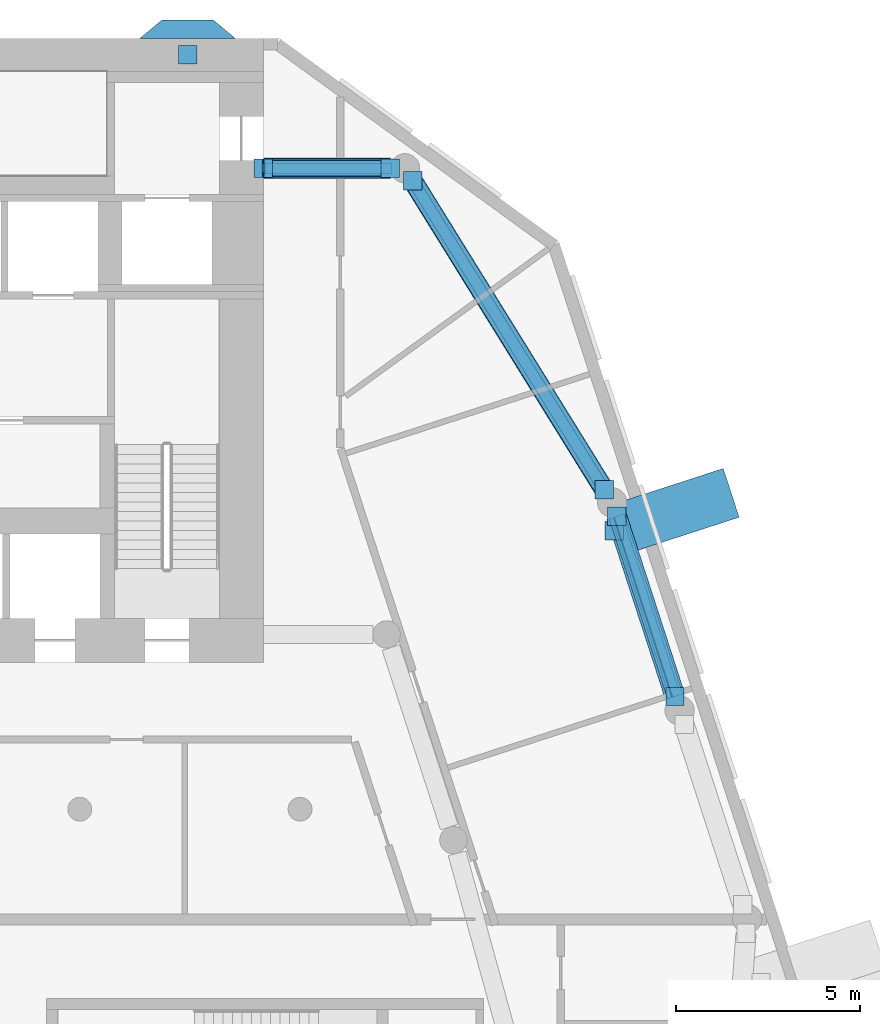
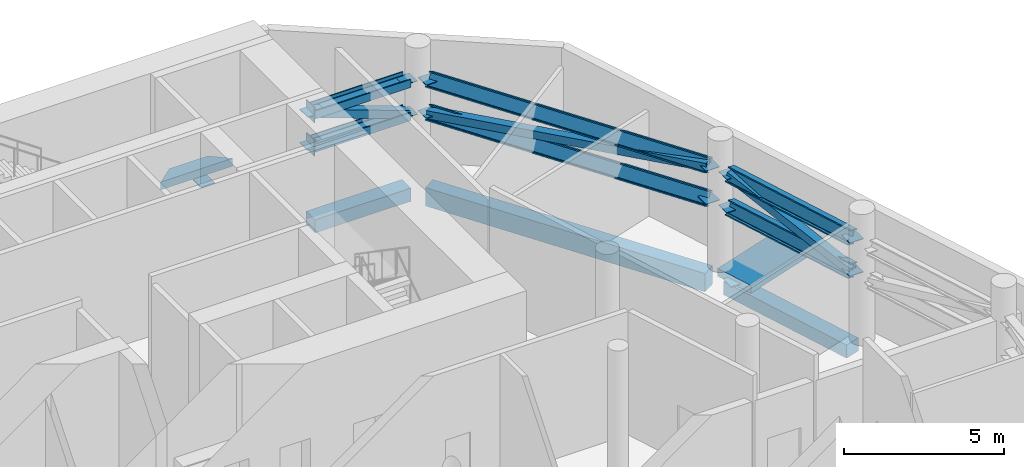
# One storey, part 5 of 15: 16 discrete accessories, 11 members, 3 beams.
"""IFC4 building model written with IfcOpenShell, lengths in metres."""

from ifc_helpers import new_model, si_unit, direction, frame, origin, origin_2d, place, context, subcontext, project, spatial, polyline, rectangle, hollow_rectangle, i_section, outline, extrude, material, layer, layer_set, material_profile, profile_set, type_object, element, aggregate, save


model = new_model("IFC4")

# Units and contexts
model_context = context("Model", 3, precision=1e-05, world=origin(), true_north=direction((0.0, 1.0)))
body_context = subcontext(model_context, "Body", "Model", "MODEL_VIEW")
ifc_project = project(units=[si_unit("LENGTHUNIT", "METRE"), si_unit("AREAUNIT", "SQUARE_METRE"), si_unit("VOLUMEUNIT", "CUBIC_METRE"), si_unit("PLANEANGLEUNIT", "RADIAN"), si_unit("MASSUNIT", "GRAM", prefix="KILO")], contexts=[model_context])

# Site, building, storey
site_placement = place(None, origin())
site = spatial("IfcSite", under=ifc_project, at=site_placement, CompositionType="ELEMENT")
building_placement = place(site_placement, origin())
building = spatial("IfcBuilding", under=site, at=building_placement, Name="White Candle Pilgrim Tower", CompositionType="ELEMENT")
storey_placement = place(building_placement, frame((0.0, 0.0, 85.800048828125)))
storey = spatial("IfcBuildingStorey", under=building, at=storey_placement, Name="L18", CompositionType="ELEMENT", Elevation=85.800048828125)

# Member
ifc_material_1 = material(Name="Steel S355", Category="steel")
ifc_material_profile_1 = material_profile(ifc_material_1, i_section(OverallWidth=0.305908203125, OverallDepth=0.52392578125, WebThickness=0.02099609375, FlangeThickness=0.0400390625, FilletRadius=0.027099609375, at=origin_2d()), Name="HEM 500")
ifc_profile_set_1 = profile_set([ifc_material_profile_1], Name="Steel S355")
member_type_1 = type_object("IfcMemberType", Name="Belt truss chord HEM 500 S355", PredefinedType="CHORD", material=ifc_profile_set_1)
member_1_placement = place(storey_placement, frame((92.216552734375, 70.0703125, 2.411865234375), z_axis=(-0.308682827488, 0.951165028801, 0.0), x_axis=(0.904717832975, 0.293609258441, -0.308673364668)))
member_1 = element("IfcMember", 1, at=member_1_placement, inside=storey, type_object=member_type_1, Name="L18 belt truss bottom chord 09", PredefinedType="CHORD", context=body_context, shape_type="SweptSolid", body=[
    extrude(i_section(OverallWidth=0.305908203125, OverallDepth=0.52392578125, WebThickness=0.02099609375, FlangeThickness=0.0400390625, FilletRadius=0.027099609375, at=origin_2d()), origin(), (0.0, 0.0, 1.0), 5.161376953125),
])

member_2_placement = place(storey_placement, frame((92.216552734375, 70.0703125, 3.677978515625), z_axis=(-0.308682827488, 0.951165028801, 0.0), x_axis=(0.904717832975, 0.293609258441, -0.308673364668)))
member_2 = element("IfcMember", 2, at=member_2_placement, inside=storey, type_object=member_type_1, Name="L18 belt truss top chord 09", PredefinedType="CHORD", context=body_context, shape_type="SweptSolid", body=[
    extrude(i_section(OverallWidth=0.305908203125, OverallDepth=0.52392578125, WebThickness=0.02099609375, FlangeThickness=0.0400390625, FilletRadius=0.027099609375, at=origin_2d()), origin(), (0.0, 0.0, 1.0), 5.161376953125),
])

member_3_placement = place(storey_placement, frame((90.289306640625, 75.69970703125, 2.411865234375), z_axis=(-0.526800809553, 0.849988768781, 0.0), x_axis=(0.722478744237, 0.447773431047, -0.526804915101)))
member_3 = element("IfcMember", 3, at=member_3_placement, inside=storey, type_object=member_type_1, Name="L18 belt truss bottom chord 10", PredefinedType="CHORD", context=body_context, shape_type="SweptSolid", body=[
    extrude(i_section(OverallWidth=0.305908203125, OverallDepth=0.52392578125, WebThickness=0.02099609375, FlangeThickness=0.0400390625, FilletRadius=0.027099609375, at=origin_2d()), origin(), (0.0, 0.0, 1.0), 9.906494140625),
])

member_4_placement = place(storey_placement, frame((90.289306640625, 75.69970703125, 3.677978515625), z_axis=(-0.526800809553, 0.849988768781, 0.0), x_axis=(0.722478744237, 0.447773431047, -0.526804915101)))
member_4 = element("IfcMember", 4, at=member_4_placement, inside=storey, type_object=member_type_1, Name="L18 belt truss top chord 10", PredefinedType="CHORD", context=body_context, shape_type="SweptSolid", body=[
    extrude(i_section(OverallWidth=0.305908203125, OverallDepth=0.52392578125, WebThickness=0.02099609375, FlangeThickness=0.0400390625, FilletRadius=0.027099609375, at=origin_2d()), origin(), (0.0, 0.0, 1.0), 9.906494140625),
])

member_5_placement = place(storey_placement, frame((84.4599609375, 84.4599609375, 2.411865234375), z_axis=(-1.0, 0.0, 0.0), x_axis=(0.0, 0.0, -1.0)))
member_5 = element("IfcMember", 5, at=member_5_placement, inside=storey, type_object=member_type_1, Name="L18 belt truss bottom chord 11", PredefinedType="CHORD", context=body_context, shape_type="SweptSolid", body=[
    extrude(i_section(OverallWidth=0.305908203125, OverallDepth=0.52392578125, WebThickness=0.02099609375, FlangeThickness=0.0400390625, FilletRadius=0.027099609375, at=origin_2d()), origin(), (0.0, 0.0, 1.0), 3.4599609375),
])

member_6_placement = place(storey_placement, frame((84.4599609375, 84.4599609375, 3.677978515625), z_axis=(-1.0, 0.0, 0.0), x_axis=(0.0, 0.0, -1.0)))
member_6 = element("IfcMember", 6, at=member_6_placement, inside=storey, type_object=member_type_1, Name="L18 belt truss top chord 11", PredefinedType="CHORD", context=body_context, shape_type="SweptSolid", body=[
    extrude(i_section(OverallWidth=0.305908203125, OverallDepth=0.52392578125, WebThickness=0.02099609375, FlangeThickness=0.0400390625, FilletRadius=0.027099609375, at=origin_2d()), origin(), (0.0, 0.0, 1.0), 3.4599609375),
])

# Members
ifc_material_profile_2 = material_profile(ifc_material_1, hollow_rectangle(XDim=0.300048828125, YDim=0.300048828125, WallThickness=0.01611328125, at=origin_2d()), Name="SHS 300x300x16")
ifc_profile_set_2 = profile_set([ifc_material_profile_2], Name="Steel S355")
member_type_2 = type_object("IfcMemberType", Name="Belt truss diagonal SHS 300x300x16 S355", PredefinedType="BRACE", material=ifc_profile_set_2)
member_7_placement = place(storey_placement, frame((92.216552734375, 70.0703125, 2.411865234375), z_axis=(-0.299794917288, 0.923778117032, 0.238237272611), x_axis=(-0.951165028801, -0.308682827488, 0.0)))
element("IfcMember", 7, at=member_7_placement, inside=storey, type_object=member_type_2, Name="L18 belt truss diagonal 09", PredefinedType="BRACE", context=body_context, shape_type="SweptSolid", body=[
    extrude(hollow_rectangle(XDim=0.300048828125, YDim=0.300048828125, WallThickness=0.01611328125, at=origin_2d()), origin(), (0.0, 0.0, 1.0), 5.314453125),
])
member_8_placement = place(storey_placement, frame((90.289306640625, 75.69970703125, 3.677978515625), z_axis=(-0.52255030589, 0.843130616118, -0.126775163096), x_axis=(-0.849988768781, -0.526800809553, 0.0)))
element("IfcMember", 8, at=member_8_placement, inside=storey, type_object=member_type_2, Name="L18 belt truss diagonal 10", PredefinedType="BRACE", context=body_context, shape_type="SweptSolid", body=[
    extrude(hollow_rectangle(XDim=0.300048828125, YDim=0.300048828125, WallThickness=0.01611328125, at=origin_2d()), origin(), (0.0, 0.0, 1.0), 9.987060546875),
])
member_9_placement = place(storey_placement, frame((84.4599609375, 84.4599609375, 2.411865234375), z_axis=(-0.939098861151, 0.0, 0.343647099487), x_axis=(0.0, -1.0, 0.0)))
element("IfcMember", 9, at=member_9_placement, inside=storey, type_object=member_type_2, Name="L18 belt truss diagonal 11", PredefinedType="BRACE", context=body_context, shape_type="SweptSolid", body=[
    extrude(hollow_rectangle(XDim=0.300048828125, YDim=0.300048828125, WallThickness=0.01611328125, at=origin_2d()), origin(), (0.0, 0.0, 1.0), 3.684326171875),
])

# Member
ifc_material_2 = material(Name="Concrete C70/85, white", Category="concrete")
ifc_layer_1 = layer(ifc_material_2, 0.300048828125)
ifc_layer_set_1 = layer_set([ifc_layer_1], Name="Node tie strut 3350x1400x300 C70/85")
member_type_3 = type_object("IfcMemberType", Name="Node tie strut 3350x1400x300 C70/85", PredefinedType="STRUT", material=ifc_layer_set_1)
member_10_placement = place(storey_placement, frame((92.153564453125, 75.1005859375, -0.30029296875), z_axis=(0.0, 0.0, 1.0), x_axis=(-0.309016994375, 0.951056516295, 0.0)))
member_10 = element("IfcMember", 10, at=member_10_placement, inside=storey, type_object=member_type_3, Name="Node tie strut NC042", PredefinedType="STRUT", context=body_context, shape_type="SweptSolid", body=[
    extrude(rectangle(XDim=1.39990234375, YDim=3.35009765625, at=origin_2d()), origin(), (0.0, 0.0, 1.0), 0.300048828125),
])

ifc_layer_2 = layer(ifc_material_2, 0.300048828125)
ifc_layer_set_2 = layer_set([ifc_layer_2], Name="Node tie strut 950x1400x300 C70/85")
member_type_4 = type_object("IfcMemberType", Name="Node tie strut 950x1400x300 C70/85", PredefinedType="STRUT", material=ifc_layer_set_2)
member_11_placement = place(storey_placement, frame((0.0, 0.0, -0.300048828125)))
member_11 = element("IfcMember", 11, at=member_11_placement, inside=storey, type_object=member_type_4, Name="Node tie strut NC043", PredefinedType="STRUT", context=body_context, shape_type="SweptSolid", body=[
    extrude(outline(polyline([(77.636962890625, 88.0), (80.237060546875, 88.0), (79.636962890625, 88.5), (78.237060546875, 88.5), (77.636962890625, 88.0)])), origin(), (0.0, 0.0, 1.0), 0.300048828125),
])

# Beams
ifc_material_3 = material(Name="Concrete C50/60", Category="concrete")
ifc_material_profile_3 = material_profile(ifc_material_3, rectangle(XDim=0.5, YDim=0.699951171875, at=origin_2d()), Name="RC-BM 500x700")
ifc_profile_set_3 = profile_set([ifc_material_profile_3], Name="Concrete C50/60")
beam_type_1 = type_object("IfcBeamType", Name="Spandrel beam RC-BM 500x700 C50/60", PredefinedType="BEAM", material=ifc_profile_set_3)
beam_1_placement = place(storey_placement, frame((90.289306640625, 75.69970703125, -0.650146484375), z_axis=(-0.526800809553, 0.849988768781, 0.0), x_axis=(-0.849988768781, -0.526800809553, 0.0)))
element("IfcBeam", 12, at=beam_1_placement, inside=storey, type_object=beam_type_1, Name="L18 spandrel beam T10", PredefinedType="BEAM", context=body_context, shape_type="SweptSolid", body=[
    extrude(rectangle(XDim=0.5, YDim=0.699951171875, at=origin_2d()), origin(), (0.0, 0.0, 1.0), 9.906494140625),
])
ifc_material_profile_4 = material_profile(ifc_material_3, rectangle(XDim=0.550048828125, YDim=0.5, at=origin_2d()), Name="RC-BM 550x500")
ifc_profile_set_4 = profile_set([ifc_material_profile_4], Name="Concrete C50/60")
beam_type_2 = type_object("IfcBeamType", Name="Spandrel beam RC-BM 550x500 C50/60", PredefinedType="BEAM", material=ifc_profile_set_4)
beam_2_placement = place(storey_placement, frame((92.216552734375, 70.0703125, -0.550048828125), z_axis=(-0.308682827488, 0.951165028801, 0.0), x_axis=(-0.951165028801, -0.308682827488, 0.0)))
element("IfcBeam", 13, at=beam_2_placement, inside=storey, type_object=beam_type_2, Name="L18 spandrel beam T09", PredefinedType="BEAM", context=body_context, shape_type="SweptSolid", body=[
    extrude(rectangle(XDim=0.550048828125, YDim=0.5, at=origin_2d()), origin(), (0.0, 0.0, 1.0), 5.161376953125),
])
beam_3_placement = place(storey_placement, frame((84.4599609375, 84.4599609375, -0.550048828125), z_axis=(-1.0, 0.0, 0.0), x_axis=(0.0, -1.0, 0.0)))
element("IfcBeam", 14, at=beam_3_placement, inside=storey, type_object=beam_type_2, Name="L18 spandrel beam T11", PredefinedType="BEAM", context=body_context, shape_type="SweptSolid", body=[
    extrude(rectangle(XDim=0.550048828125, YDim=0.5, at=origin_2d()), origin(), (0.0, 0.0, 1.0), 3.4599609375),
])

# Discrete accessory
ifc_layer_3 = layer(ifc_material_1, 0.030029296875)
ifc_layer_set_3 = layer_set([ifc_layer_3], Name="Cast-in plate 500x600x30 S355")
discrete_accessory_type_1 = type_object("IfcDiscreteAccessoryType", Name="Cast-in plate 500x600x30 S355", PredefinedType="ANCHORPLATE", material=ifc_layer_set_3)
discrete_accessory_1_placement = place(storey_placement, frame((81.0, 84.4599609375, 2.11181640625), z_axis=(0.0, 0.0, 1.0), x_axis=(1.0, 0.0, 0.0)))
discrete_accessory_1 = element("IfcDiscreteAccessory", 15, at=discrete_accessory_1_placement, type_object=discrete_accessory_type_1, Name="Cast-in plate 0003", PredefinedType="ANCHORPLATE", context=body_context, shape_type="SweptSolid", body=[
    extrude(rectangle(XDim=0.030029296875, YDim=0.5, at=origin_2d()), origin(), (0.0, 0.0, 1.0), 0.60009765625),
])

discrete_accessory_2_placement = place(storey_placement, frame((81.0, 84.4599609375, 3.3779296875), z_axis=(0.0, 0.0, 1.0), x_axis=(1.0, 0.0, 0.0)))
discrete_accessory_2 = element("IfcDiscreteAccessory", 16, at=discrete_accessory_2_placement, type_object=discrete_accessory_type_1, Name="Cast-in plate 0004", PredefinedType="ANCHORPLATE", context=body_context, shape_type="SweptSolid", body=[
    extrude(rectangle(XDim=0.030029296875, YDim=0.5, at=origin_2d()), origin(), (0.0, 0.0, 1.0), 0.60009765625),
])

ifc_layer_4 = layer(ifc_material_1, 0.02490234375)
ifc_layer_set_4 = layer_set([ifc_layer_4], Name="Gusset plate 500x500x25 S355")
discrete_accessory_type_2 = type_object("IfcDiscreteAccessoryType", Name="Gusset plate 500x500x25 S355", PredefinedType="BRACKET", material=ifc_layer_set_4)
discrete_accessory_3_placement = place(storey_placement, frame((90.560546875, 74.5830078125, -0.16259765625), z_axis=(0.0, 0.0, 1.0), x_axis=(1.0, 0.0, 0.0)))
discrete_accessory_3 = element("IfcDiscreteAccessory", 17, at=discrete_accessory_3_placement, type_object=discrete_accessory_type_2, Name="Gusset plate 0423", PredefinedType="BRACKET", context=body_context, shape_type="SweptSolid", body=[
    extrude(rectangle(XDim=0.5, YDim=0.5, at=origin_2d()), origin(), (0.0, 0.0, 1.0), 0.02490234375),
])

aggregate(member_10, [discrete_accessory_3])

discrete_accessory_4_placement = place(storey_placement, frame((78.93701171875, 87.550048828125, -0.16259765625), z_axis=(0.0, 0.0, 1.0), x_axis=(1.0, 0.0, 0.0)))
discrete_accessory_4 = element("IfcDiscreteAccessory", 18, at=discrete_accessory_4_placement, type_object=discrete_accessory_type_2, Name="Gusset plate 0424", PredefinedType="BRACKET", context=body_context, shape_type="SweptSolid", body=[
    extrude(rectangle(XDim=0.5, YDim=0.5, at=origin_2d()), origin(), (0.0, 0.0, 1.0), 0.02490234375),
])

aggregate(member_11, [discrete_accessory_4])

discrete_accessory_5_placement = place(storey_placement, frame((92.216552734375, 70.0703125, 2.3994140625), z_axis=(0.0, 0.0, 1.0), x_axis=(1.0, 0.0, 0.0)))
discrete_accessory_5 = element("IfcDiscreteAccessory", 19, at=discrete_accessory_5_placement, type_object=discrete_accessory_type_2, Name="Gusset plate 0690", PredefinedType="BRACKET", context=body_context, shape_type="SweptSolid", body=[
    extrude(rectangle(XDim=0.5, YDim=0.5, at=origin_2d()), origin(), (0.0, 0.0, 1.0), 0.02490234375),
])

discrete_accessory_6_placement = place(storey_placement, frame((90.623291015625, 74.979736328125, 2.3994140625), z_axis=(0.0, 0.0, 1.0), x_axis=(1.0, 0.0, 0.0)))
discrete_accessory_6 = element("IfcDiscreteAccessory", 20, at=discrete_accessory_6_placement, type_object=discrete_accessory_type_2, Name="Gusset plate 0691", PredefinedType="BRACKET", context=body_context, shape_type="SweptSolid", body=[
    extrude(rectangle(XDim=0.5, YDim=0.5, at=origin_2d()), origin(), (0.0, 0.0, 1.0), 0.02490234375),
])

aggregate(member_1, [discrete_accessory_5, discrete_accessory_6])

discrete_accessory_7_placement = place(storey_placement, frame((92.216552734375, 70.0703125, 3.66552734375), z_axis=(0.0, 0.0, 1.0), x_axis=(1.0, 0.0, 0.0)))
discrete_accessory_7 = element("IfcDiscreteAccessory", 21, at=discrete_accessory_7_placement, type_object=discrete_accessory_type_2, Name="Gusset plate 0692", PredefinedType="BRACKET", context=body_context, shape_type="SweptSolid", body=[
    extrude(rectangle(XDim=0.5, YDim=0.5, at=origin_2d()), origin(), (0.0, 0.0, 1.0), 0.02490234375),
])

discrete_accessory_8_placement = place(storey_placement, frame((90.623291015625, 74.979736328125, 3.66552734375), z_axis=(0.0, 0.0, 1.0), x_axis=(1.0, 0.0, 0.0)))
discrete_accessory_8 = element("IfcDiscreteAccessory", 22, at=discrete_accessory_8_placement, type_object=discrete_accessory_type_2, Name="Gusset plate 0693", PredefinedType="BRACKET", context=body_context, shape_type="SweptSolid", body=[
    extrude(rectangle(XDim=0.5, YDim=0.5, at=origin_2d()), origin(), (0.0, 0.0, 1.0), 0.02490234375),
])

aggregate(member_2, [discrete_accessory_7, discrete_accessory_8])

discrete_accessory_9_placement = place(storey_placement, frame((90.289306640625, 75.69970703125, 2.3994140625), z_axis=(0.0, 0.0, 1.0), x_axis=(1.0, 0.0, 0.0)))
discrete_accessory_9 = element("IfcDiscreteAccessory", 23, at=discrete_accessory_9_placement, type_object=discrete_accessory_type_2, Name="Gusset plate 0694", PredefinedType="BRACKET", context=body_context, shape_type="SweptSolid", body=[
    extrude(rectangle(XDim=0.5, YDim=0.5, at=origin_2d()), origin(), (0.0, 0.0, 1.0), 0.02490234375),
])

discrete_accessory_10_placement = place(storey_placement, frame((85.070556640625, 84.1201171875, 2.3994140625), z_axis=(0.0, 0.0, 1.0), x_axis=(1.0, 0.0, 0.0)))
discrete_accessory_10 = element("IfcDiscreteAccessory", 24, at=discrete_accessory_10_placement, type_object=discrete_accessory_type_2, Name="Gusset plate 0695", PredefinedType="BRACKET", context=body_context, shape_type="SweptSolid", body=[
    extrude(rectangle(XDim=0.5, YDim=0.5, at=origin_2d()), origin(), (0.0, 0.0, 1.0), 0.02490234375),
])

aggregate(member_3, [discrete_accessory_9, discrete_accessory_10])

discrete_accessory_11_placement = place(storey_placement, frame((90.289306640625, 75.69970703125, 3.66552734375), z_axis=(0.0, 0.0, 1.0), x_axis=(1.0, 0.0, 0.0)))
discrete_accessory_11 = element("IfcDiscreteAccessory", 25, at=discrete_accessory_11_placement, type_object=discrete_accessory_type_2, Name="Gusset plate 0696", PredefinedType="BRACKET", context=body_context, shape_type="SweptSolid", body=[
    extrude(rectangle(XDim=0.5, YDim=0.5, at=origin_2d()), origin(), (0.0, 0.0, 1.0), 0.02490234375),
])

discrete_accessory_12_placement = place(storey_placement, frame((85.070556640625, 84.1201171875, 3.66552734375), z_axis=(0.0, 0.0, 1.0), x_axis=(1.0, 0.0, 0.0)))
discrete_accessory_12 = element("IfcDiscreteAccessory", 26, at=discrete_accessory_12_placement, type_object=discrete_accessory_type_2, Name="Gusset plate 0697", PredefinedType="BRACKET", context=body_context, shape_type="SweptSolid", body=[
    extrude(rectangle(XDim=0.5, YDim=0.5, at=origin_2d()), origin(), (0.0, 0.0, 1.0), 0.02490234375),
])

aggregate(member_4, [discrete_accessory_11, discrete_accessory_12])

discrete_accessory_13_placement = place(storey_placement, frame((84.4599609375, 84.4599609375, 2.3994140625), z_axis=(0.0, 0.0, 1.0), x_axis=(1.0, 0.0, 0.0)))
discrete_accessory_13 = element("IfcDiscreteAccessory", 27, at=discrete_accessory_13_placement, type_object=discrete_accessory_type_2, Name="Gusset plate 0698", PredefinedType="BRACKET", context=body_context, shape_type="SweptSolid", body=[
    extrude(rectangle(XDim=0.5, YDim=0.5, at=origin_2d()), origin(), (0.0, 0.0, 1.0), 0.02490234375),
])

discrete_accessory_14_placement = place(storey_placement, frame((81.0, 84.4599609375, 2.3994140625), z_axis=(0.0, 0.0, 1.0), x_axis=(1.0, 0.0, 0.0)))
discrete_accessory_14 = element("IfcDiscreteAccessory", 28, at=discrete_accessory_14_placement, type_object=discrete_accessory_type_2, Name="Gusset plate 0699", PredefinedType="BRACKET", context=body_context, shape_type="SweptSolid", body=[
    extrude(rectangle(XDim=0.5, YDim=0.5, at=origin_2d()), origin(), (0.0, 0.0, 1.0), 0.02490234375),
])

aggregate(member_5, [discrete_accessory_13, discrete_accessory_14, discrete_accessory_1])

discrete_accessory_15_placement = place(storey_placement, frame((84.4599609375, 84.4599609375, 3.66552734375), z_axis=(0.0, 0.0, 1.0), x_axis=(1.0, 0.0, 0.0)))
discrete_accessory_15 = element("IfcDiscreteAccessory", 29, at=discrete_accessory_15_placement, type_object=discrete_accessory_type_2, Name="Gusset plate 0700", PredefinedType="BRACKET", context=body_context, shape_type="SweptSolid", body=[
    extrude(rectangle(XDim=0.5, YDim=0.5, at=origin_2d()), origin(), (0.0, 0.0, 1.0), 0.02490234375),
])

discrete_accessory_16_placement = place(storey_placement, frame((81.0, 84.4599609375, 3.66552734375), z_axis=(0.0, 0.0, 1.0), x_axis=(1.0, 0.0, 0.0)))
discrete_accessory_16 = element("IfcDiscreteAccessory", 30, at=discrete_accessory_16_placement, type_object=discrete_accessory_type_2, Name="Gusset plate 0701", PredefinedType="BRACKET", context=body_context, shape_type="SweptSolid", body=[
    extrude(rectangle(XDim=0.5, YDim=0.5, at=origin_2d()), origin(), (0.0, 0.0, 1.0), 0.02490234375),
])

aggregate(member_6, [discrete_accessory_15, discrete_accessory_16, discrete_accessory_2])

save(model, "model.ifc")
